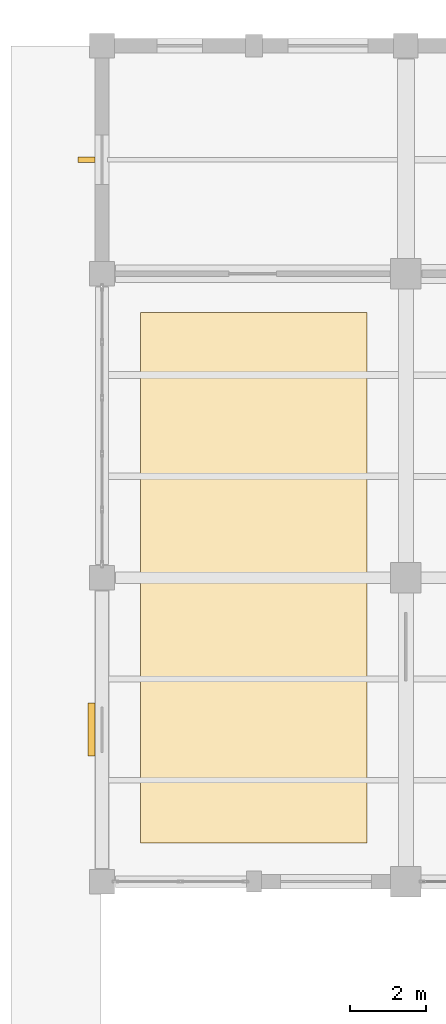
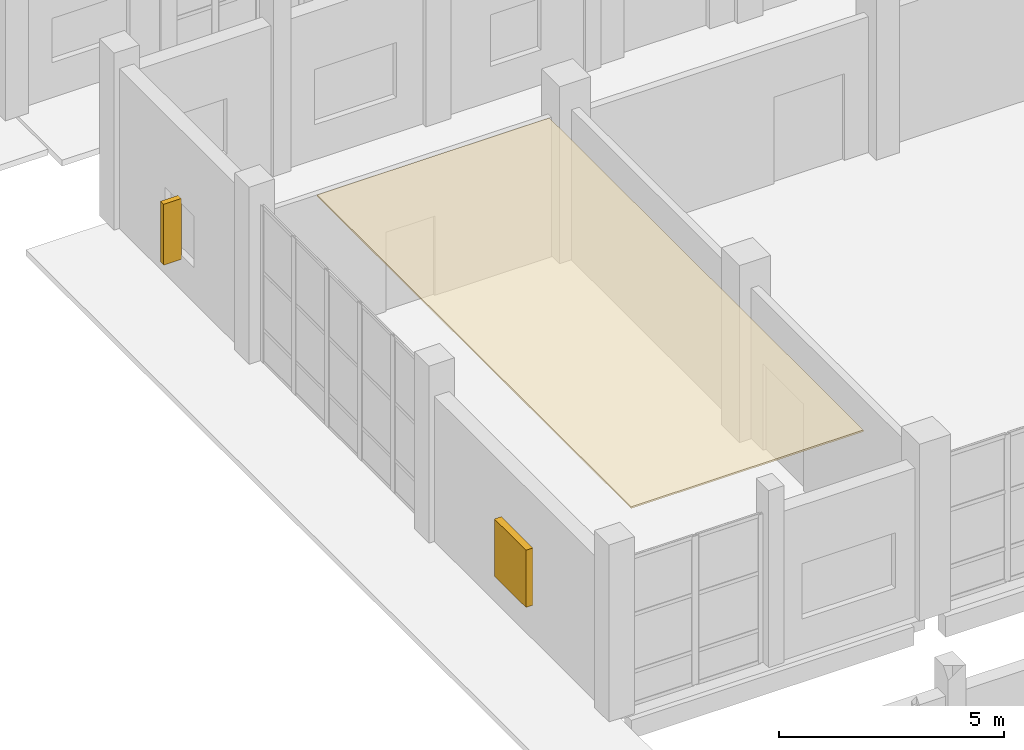
# One storey, part 153 of 156: 2 shading devices, 1 covering.
"""IFC4 building model written with IfcOpenShell, lengths in metres."""

from ifc_helpers import new_model, si_unit, direction, frame, origin, origin_2d, place, context, subcontext, project, spatial, polyline, rectangle, outline, extrude, material, layer, layer_set, type_object, element, save


model = new_model("IFC4")

# Units and contexts
model_context = context("Model", 3, precision=1e-05, world=origin(), true_north=direction((0.0, 1.0)))
body_context = subcontext(model_context, "Body", "Model", "MODEL_VIEW")
ifc_project = project(units=[si_unit("LENGTHUNIT", "METRE"), si_unit("AREAUNIT", "SQUARE_METRE"), si_unit("VOLUMEUNIT", "CUBIC_METRE"), si_unit("PLANEANGLEUNIT", "RADIAN"), si_unit("MASSUNIT", "GRAM", prefix="KILO")], contexts=[model_context])

# Site, building, storey
site_placement = place(None, origin())
site = spatial("IfcSite", under=ifc_project, at=site_placement, CompositionType="ELEMENT")
building_placement = place(site_placement, origin())
building = spatial("IfcBuilding", under=site, at=building_placement, Name="Luwemba Playhouse", CompositionType="ELEMENT")
storey_placement = place(building_placement, origin())
storey = spatial("IfcBuildingStorey", under=building, at=storey_placement, Name="L00", CompositionType="ELEMENT", Elevation=0.0)

# Covering
ifc_material_1 = material(Name="Perforated acoustic gypsum and timber baffle ceiling", Category="wood")
ifc_layer = layer(ifc_material_1, 0.044921875)
ifc_layer_set = layer_set([ifc_layer], Name="Perforated acoustic gypsum and timber baffle ceiling")
covering_type = type_object("IfcCoveringType", Name="COV-CEIL-AC", PredefinedType="CEILING", material=ifc_layer_set)
covering_placement = place(storey_placement, frame((0.0, 0.0, 4.5048828125)))
element("IfcCovering", 1, at=covering_placement, inside=storey, type_object=covering_type, Name="L00 Black-Box Cloister Entrance Foyer acoustic ceiling cloud", PredefinedType="CEILING", context=body_context, shape_type="SweptSolid", body=[
    extrude(outline(polyline([(133.02001953125, 69.02001953125), (138.97998046875, 69.02001953125), (138.97998046875, 82.97998046875), (133.02001953125, 82.97998046875), (133.02001953125, 69.02001953125)])), origin(), (0.0, 0.0, 1.0), 0.045166015625),
])

# Shading devices
ifc_material_2 = material(Name="Extruded terracotta brise-soleil fin on steel bracket", Category="masonry")
shading_device_type_1 = type_object("IfcShadingDeviceType", Name="SHD-BRISE", PredefinedType="USERDEFINED", material=ifc_material_2)
shading_device_1_placement = place(storey_placement, frame((131.590087890625, 87.0, 0.824951171875), z_axis=(0.0, 0.0, 1.0), x_axis=(0.0, 1.0, 0.0)))
element("IfcShadingDevice", 2, at=shading_device_1_placement, inside=storey, type_object=shading_device_type_1, Name="L00 terracotta brise-soleil fin 009", ObjectType="TERRACOTTA BRISE SOLEIL", PredefinedType="USERDEFINED", context=body_context, shape_type="SweptSolid", body=[
    extrude(rectangle(XDim=0.139892578125, YDim=0.449951171875, at=origin_2d()), origin(), (0.0, 0.0, 1.0), 1.64990234375),
])
ifc_material_3 = material(Name="Kiln-fired terracotta gelosia louvre screen", Category="masonry")
shading_device_type_2 = type_object("IfcShadingDeviceType", Name="SHD-GELOSIA", PredefinedType="JALOUSIE", material=ifc_material_3)
shading_device_2_placement = place(storey_placement, frame((131.72509765625, 72.0, 0.9248046875), z_axis=(0.0, 0.0, 1.0), x_axis=(0.0, 1.0, 0.0)))
element("IfcShadingDevice", 3, at=shading_device_2_placement, inside=storey, type_object=shading_device_type_2, Name="L00 fired-clay gelosia screen 008", PredefinedType="JALOUSIE", context=body_context, shape_type="SweptSolid", body=[
    extrude(rectangle(XDim=1.39990234375, YDim=0.179931640625, at=origin_2d()), origin(), (0.0, 0.0, 1.0), 1.550048828125),
])

save(model, "model.ifc")
